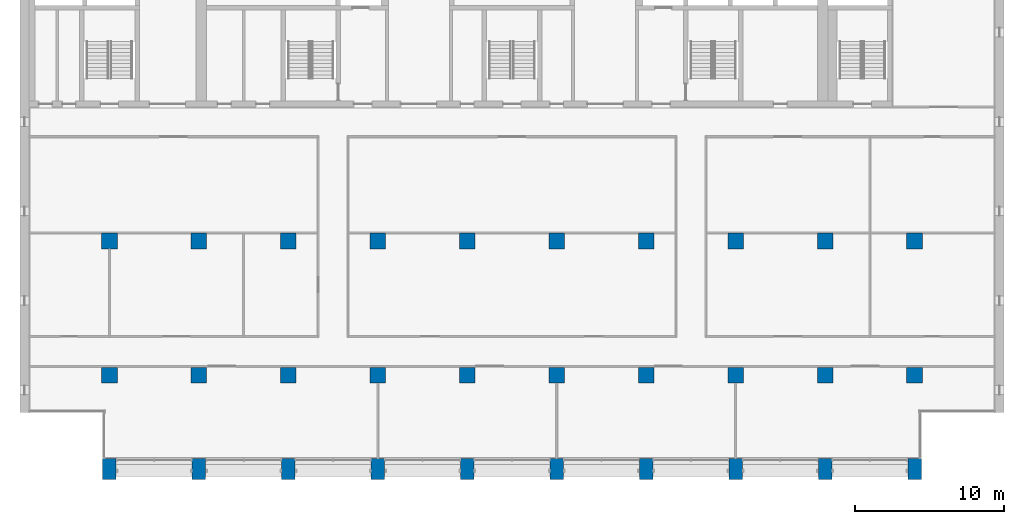
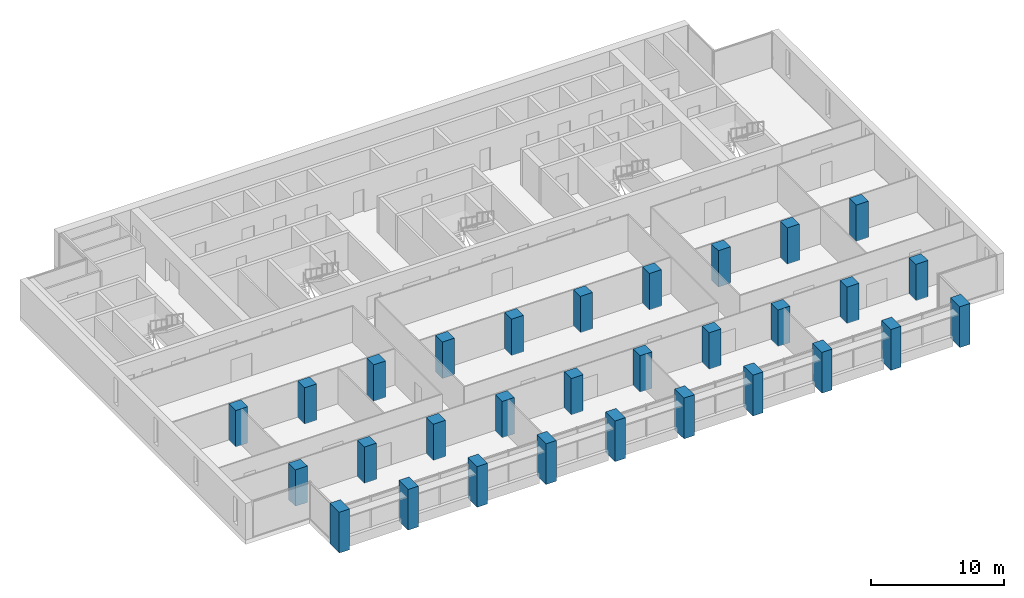
# One storey, part 1 of 17: 30 columns.
"""IFC4 building model written with IfcOpenShell, lengths in metres."""

from ifc_helpers import new_model, si_unit, direction, frame, origin, origin_2d, place, context, subcontext, project, spatial, rectangle, extrude, material, material_profile, profile_set, type_object, element, save


model = new_model("IFC4")

# Units and contexts
model_context = context("Model", 3, precision=1e-05, world=origin(), true_north=direction((0.0, 1.0)))
body_context = subcontext(model_context, "Body", "Model", "MODEL_VIEW")
ifc_project = project(units=[si_unit("LENGTHUNIT", "METRE"), si_unit("AREAUNIT", "SQUARE_METRE"), si_unit("VOLUMEUNIT", "CUBIC_METRE"), si_unit("PLANEANGLEUNIT", "RADIAN"), si_unit("MASSUNIT", "GRAM", prefix="KILO")], contexts=[model_context])

# Site, building, storey
site_placement = place(None, origin())
site = spatial("IfcSite", under=ifc_project, at=site_placement, CompositionType="ELEMENT")
building_placement = place(site_placement, origin())
building = spatial("IfcBuilding", under=site, at=building_placement, Name="Calvaro Tower", CompositionType="ELEMENT")
storey_placement = place(building_placement, frame((0.0, 0.0, 208.0)))
storey = spatial("IfcBuildingStorey", under=building, at=storey_placement, Name="L52", CompositionType="ELEMENT", Elevation=208.0)

# Columns
ifc_material_1 = material(Name="Concrete C50/60", Category="concrete")
ifc_material_profile_1 = material_profile(ifc_material_1, rectangle(XDim=1.050048828125, YDim=1.050048828125, at=origin_2d()), Name="RC 1050x1050")
ifc_profile_set_1 = profile_set([ifc_material_profile_1], Name="Concrete C50/60")
column_type_1 = type_object("IfcColumnType", Name="Column 1050x1050 C50/60", PredefinedType="COLUMN", material=ifc_profile_set_1)
for number, where, z_axis, x_axis, name in (
    (1, (12.0, 10.0, 0.0), (0.0, 0.0, 1.0), (1.0, 0.0, 0.0), "Column 3B"),
    (2, (12.0, 19.0, 0.0), (0.0, 0.0, 1.0), (1.0, 0.0, 0.0), "Column 3C"),
    (3, (18.0, 10.0, 0.0), (0.0, 0.0, 1.0), (1.0, 0.0, 0.0), "Column 4B"),
    (4, (18.0, 19.0, 0.0), (0.0, 0.0, 1.0), (1.0, 0.0, 0.0), "Column 4C"),
    (5, (24.0, 10.0, 0.0), (0.0, 0.0, 1.0), (1.0, 0.0, 0.0), "Column 5B"),
    (6, (24.0, 19.0, 0.0), (0.0, 0.0, 1.0), (1.0, 0.0, 0.0), "Column 5C"),
    (7, (30.0, 10.0, 0.0), (0.0, 0.0, 1.0), (1.0, 0.0, 0.0), "Column 6B"),
    (8, (30.0, 19.0, 0.0), (0.0, 0.0, 1.0), (1.0, 0.0, 0.0), "Column 6C"),
    (9, (36.0, 10.0, 0.0), (0.0, 0.0, 1.0), (1.0, 0.0, 0.0), "Column 7B"),
    (10, (36.0, 19.0, 0.0), (0.0, 0.0, 1.0), (1.0, 0.0, 0.0), "Column 7C"),
    (11, (42.0, 10.0, 0.0), (0.0, 0.0, 1.0), (1.0, 0.0, 0.0), "Column 8B"),
    (12, (42.0, 19.0, 0.0), (0.0, 0.0, 1.0), (1.0, 0.0, 0.0), "Column 8C"),
    (13, (48.0, 10.0, 0.0), (0.0, 0.0, 1.0), (1.0, 0.0, 0.0), "Column 9B"),
    (14, (48.0, 19.0, 0.0), (0.0, 0.0, 1.0), (1.0, 0.0, 0.0), "Column 9C"),
    (15, (54.0, 10.0, 0.0), (0.0, 0.0, 1.0), (1.0, 0.0, 0.0), "Column 10B"),
    (16, (54.0, 19.0, 0.0), (0.0, 0.0, 1.0), (1.0, 0.0, 0.0), "Column 10C"),
    (17, (60.0, 10.0, 0.0), (0.0, 0.0, 1.0), (1.0, 0.0, 0.0), "Column 11B"),
    (18, (60.0, 19.0, 0.0), (0.0, 0.0, 1.0), (1.0, 0.0, 0.0), "Column 11C"),
    (19, (66.0, 10.0, 0.0), (0.0, 0.0, 1.0), (1.0, 0.0, 0.0), "Column 12B"),
    (20, (66.0, 19.0, 0.0), (0.0, 0.0, 1.0), (1.0, 0.0, 0.0), "Column 12C"),
):
    element("IfcColumn", number, at=place(storey_placement, frame(where, z_axis=z_axis, x_axis=x_axis)), inside=storey, type_object=column_type_1, Name=name, PredefinedType="COLUMN", context=body_context, shape_type="SweptSolid", body=[
        extrude(rectangle(XDim=1.050048828125, YDim=1.050048828125, at=origin_2d()), origin(), (0.0, 0.0, 1.0), 3.35009765625),
    ])
ifc_material_2 = material(Name="Concrete C50/60", Category="concrete")
ifc_material_profile_2 = material_profile(ifc_material_2, rectangle(XDim=0.89990234375, YDim=1.39990234375, at=origin_2d()), Name="RC 900x1400")
ifc_profile_set_2 = profile_set([ifc_material_profile_2], Name="Concrete C50/60")
column_type_2 = type_object("IfcColumnType", Name="Pier 900x1400 C50/60", PredefinedType="COLUMN", material=ifc_profile_set_2)
for number, where, z_axis, x_axis, name in (
    (21, (12.0, 3.699951171875, -0.39990234375), (0.0, 0.0, 1.0), (1.0, 0.0, 0.0), "South pier 3"),
    (22, (18.0, 3.699951171875, -0.39990234375), (0.0, 0.0, 1.0), (1.0, 0.0, 0.0), "South pier 4"),
    (23, (24.0, 3.699951171875, -0.39990234375), (0.0, 0.0, 1.0), (1.0, 0.0, 0.0), "South pier 5"),
    (24, (30.0, 3.699951171875, -0.39990234375), (0.0, 0.0, 1.0), (1.0, 0.0, 0.0), "South pier 6"),
    (25, (36.0, 3.699951171875, -0.39990234375), (0.0, 0.0, 1.0), (1.0, 0.0, 0.0), "South pier 7"),
    (26, (42.0, 3.699951171875, -0.39990234375), (0.0, 0.0, 1.0), (1.0, 0.0, 0.0), "South pier 8"),
    (27, (48.0, 3.699951171875, -0.39990234375), (0.0, 0.0, 1.0), (1.0, 0.0, 0.0), "South pier 9"),
    (28, (54.0, 3.699951171875, -0.39990234375), (0.0, 0.0, 1.0), (1.0, 0.0, 0.0), "South pier 10"),
    (29, (60.0, 3.699951171875, -0.39990234375), (0.0, 0.0, 1.0), (1.0, 0.0, 0.0), "South pier 11"),
    (30, (66.0, 3.699951171875, -0.39990234375), (0.0, 0.0, 1.0), (1.0, 0.0, 0.0), "South pier 12"),
):
    element("IfcColumn", number, at=place(storey_placement, frame(where, z_axis=z_axis, x_axis=x_axis)), inside=storey, type_object=column_type_2, Name=name, PredefinedType="COLUMN", context=body_context, shape_type="SweptSolid", body=[
        extrude(rectangle(XDim=0.89990234375, YDim=1.39990234375, at=origin_2d()), origin(), (0.0, 0.0, 1.0), 3.75),
    ])

save(model, "model.ifc")
